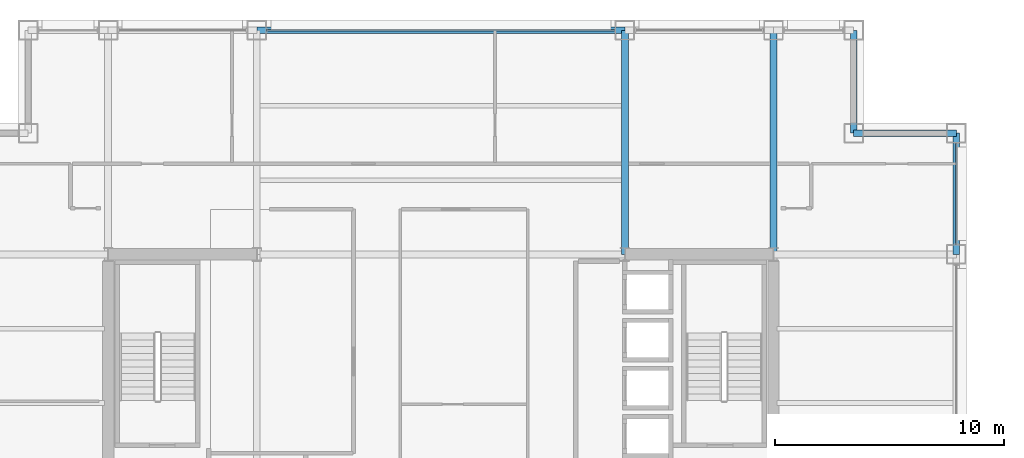
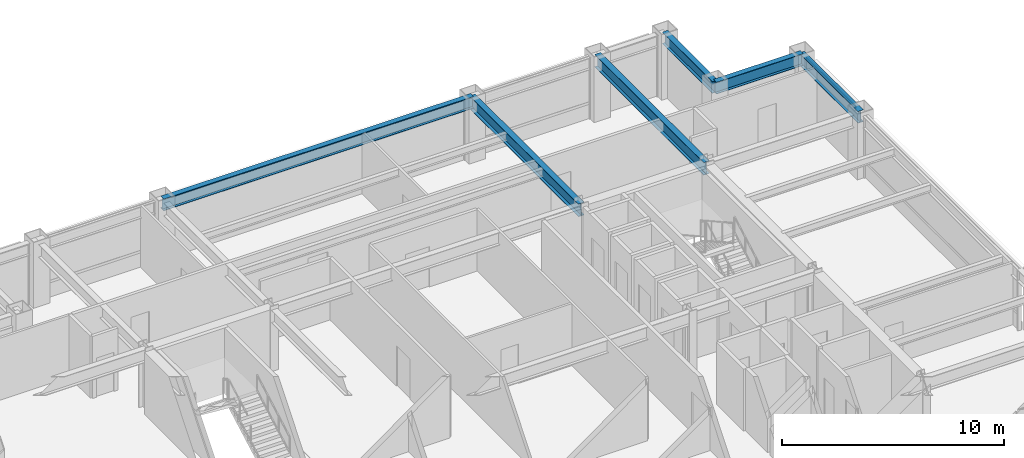
# One storey, part 22 of 31: 6 beams, 2 members, 2 elements without a shape of their own.
"""IFC4 building model written with IfcOpenShell, lengths in metres."""

from ifc_helpers import new_model, si_unit, direction, frame, origin, origin_2d, place, context, subcontext, project, spatial, hollow_rectangle, i_section, extrude, material, layer, layer_set, material_profile, profile_set, type_object, element, aggregate, save


model = new_model("IFC4")

# Units and contexts
model_context = context("Model", 3, precision=1e-05, world=origin(), true_north=direction((0.0, 1.0)))
body_context = subcontext(model_context, "Body", "Model", "MODEL_VIEW")
ifc_project = project(units=[si_unit("LENGTHUNIT", "METRE"), si_unit("AREAUNIT", "SQUARE_METRE"), si_unit("VOLUMEUNIT", "CUBIC_METRE"), si_unit("PLANEANGLEUNIT", "RADIAN"), si_unit("MASSUNIT", "GRAM", prefix="KILO")], contexts=[model_context])

# Site, building, storey
site_placement = place(None, origin())
site = spatial("IfcSite", under=ifc_project, at=site_placement, CompositionType="ELEMENT")
building_placement = place(site_placement, origin())
building = spatial("IfcBuilding", under=site, at=building_placement, Name="Brelmoor Portico Tower", CompositionType="ELEMENT")
storey_placement = place(building_placement, frame((0.0, 0.0, 113.39990234375)))
storey = spatial("IfcBuildingStorey", under=building, at=storey_placement, Name="L29", CompositionType="ELEMENT", Elevation=113.39990234375)

# Beams
ifc_material_1 = material(Name="Steel Q355B", Category="steel")
ifc_material_profile_1 = material_profile(ifc_material_1, i_section(OverallWidth=0.300048828125, OverallDepth=0.699951171875, WebThickness=0.012939453125, FlangeThickness=0.02392578125, at=origin_2d()), Name="HN 700x300x13x24")
ifc_profile_set_1 = profile_set([ifc_material_profile_1], Name="Steel Q355B")
beam_type_1 = type_object("IfcBeamType", Name="BM-PG-700", PredefinedType="BEAM", material=ifc_profile_set_1)
for number, where, z_axis, x_axis, name in (
    (1, (8.050048828125, 9.75, 3.050048828125), (0.0, 1.0, 0.0), (-1.0, 0.0, 0.0), "L29 Primary Floor Girder PG-09"),
    (2, (14.550048828125, 9.75, 3.050048828125), (0.0, 1.0, 0.0), (-1.0, 0.0, 0.0), "L29 Primary Floor Girder PG-13"),
):
    element("IfcBeam", number, at=place(storey_placement, frame(where, z_axis=z_axis, x_axis=x_axis)), inside=storey, type_object=beam_type_1, Name=name, PredefinedType="BEAM", context=body_context, shape_type="SweptSolid", body=[
        extrude(i_section(OverallWidth=0.300048828125, OverallDepth=0.699951171875, WebThickness=0.012939453125, FlangeThickness=0.02392578125, at=origin_2d()), origin(), (0.0, 0.0, 1.0), 9.800048828125),
    ])
ifc_material_profile_2 = material_profile(ifc_material_1, i_section(OverallWidth=0.280029296875, OverallDepth=0.64990234375, WebThickness=0.012939453125, FlangeThickness=0.02197265625, at=origin_2d()), Name="HN 650x280x13x22")
ifc_profile_set_2 = profile_set([ifc_material_profile_2], Name="Steel Q355B")
beam_type_2 = type_object("IfcBeamType", Name="BM-SP-650", PredefinedType="SPANDREL", material=ifc_profile_set_2)
beam_1_placement = place(storey_placement, frame((18.050048828125, 15.050048828125, 3.0751953125), z_axis=(1.0, 0.0, 0.0), x_axis=(0.0, 1.0, 0.0)))
element("IfcBeam", 3, at=beam_1_placement, inside=storey, type_object=beam_type_2, Name="L29 Perimeter Spandrel Beam SP-09", PredefinedType="SPANDREL", context=body_context, shape_type="SweptSolid", body=[
    extrude(i_section(OverallWidth=0.280029296875, OverallDepth=0.64990234375, WebThickness=0.012939453125, FlangeThickness=0.02197265625, at=origin_2d()), origin(), (0.0, 0.0, 1.0), 4.5),
])
beam_2_placement = place(storey_placement, frame((-8.050048828125, 19.550048828125, 3.0751953125), z_axis=(1.0, 0.0, 0.0), x_axis=(0.0, 1.0, 0.0)))
element("IfcBeam", 4, at=beam_2_placement, inside=storey, type_object=beam_type_2, Name="L29 Perimeter Spandrel Beam SP-12", PredefinedType="SPANDREL", context=body_context, shape_type="SweptSolid", body=[
    extrude(i_section(OverallWidth=0.280029296875, OverallDepth=0.64990234375, WebThickness=0.012939453125, FlangeThickness=0.02197265625, at=origin_2d()), origin(), (0.0, 0.0, 1.0), 16.10009765625),
])
beam_3_placement = place(storey_placement, frame((18.050048828125, 15.050048828125, 3.0751953125), z_axis=(0.0, 1.0, 0.0), x_axis=(-1.0, 0.0, 0.0)))
element("IfcBeam", 5, at=beam_3_placement, inside=storey, type_object=beam_type_2, Name="L29 Perimeter Spandrel Beam SP-21", PredefinedType="SPANDREL", context=body_context, shape_type="SweptSolid", body=[
    extrude(i_section(OverallWidth=0.280029296875, OverallDepth=0.64990234375, WebThickness=0.012939453125, FlangeThickness=0.02197265625, at=origin_2d()), origin(), (0.0, 0.0, 1.0), 4.5),
])
beam_4_placement = place(storey_placement, frame((22.550048828125, 9.75, 3.0751953125), z_axis=(0.0, 1.0, 0.0), x_axis=(-1.0, 0.0, 0.0)))
element("IfcBeam", 6, at=beam_4_placement, inside=storey, type_object=beam_type_2, Name="L29 Perimeter Spandrel Beam SP-24", PredefinedType="SPANDREL", context=body_context, shape_type="SweptSolid", body=[
    extrude(i_section(OverallWidth=0.280029296875, OverallDepth=0.64990234375, WebThickness=0.012939453125, FlangeThickness=0.02197265625, at=origin_2d()), origin(), (0.0, 0.0, 1.0), 5.300048828125),
])

# Curtain wall, member
ifc_material_2 = material(Name="Anodised Aluminium Alloy 6063-T6", Category="aluminium")
ifc_layer = layer(ifc_material_2, 0.179931640625)
ifc_layer_set = layer_set([ifc_layer], Name="Anodised Aluminium Alloy 6063-T6")
curtain_wall_type = type_object("IfcCurtainWallType", Name="CW-TOWER-Z2-XB", PredefinedType="NOTDEFINED", material=ifc_layer_set)
curtain_wall_1_placement = place(storey_placement, origin())
curtain_wall_1 = element("IfcCurtainWall", 7, at=curtain_wall_1_placement, inside=storey, type_object=curtain_wall_type, Name="L29 Curtain Wall CW-L29-02-3", PredefinedType="NOTDEFINED")
ifc_material_profile_3 = material_profile(ifc_material_2, hollow_rectangle(XDim=0.06494140625, YDim=0.139892578125, WallThickness=0.00390625, at=origin_2d()), Name="ALU TRANSOM 65x140")
ifc_profile_set_3 = profile_set([ifc_material_profile_3], Name="Anodised Aluminium Alloy 6063-T6")
member_type = type_object("IfcMemberType", Name="MB-CW-TRAN-140", PredefinedType="USERDEFINED", material=ifc_profile_set_3)
member_1_placement = place(storey_placement, frame((-7.614990234375, 19.550048828125, 3.330078125), z_axis=(1.0, 0.0, 0.0), x_axis=(0.0, 1.0, 0.0)))
member_1 = element("IfcMember", 8, at=member_1_placement, type_object=member_type, Name="CW-L29-02-3 Transom 1-00", ObjectType="TRANSOM", PredefinedType="USERDEFINED", context=body_context, shape_type="SweptSolid", body=[
    extrude(hollow_rectangle(XDim=0.06494140625, YDim=0.139892578125, WallThickness=0.00390625, at=origin_2d()), origin(), (0.0, 0.0, 1.0), 15.22998046875),
])
aggregate(curtain_wall_1, [member_1])

curtain_wall_2_placement = place(storey_placement, origin())
curtain_wall_2 = element("IfcCurtainWall", 9, at=curtain_wall_2_placement, inside=storey, type_object=curtain_wall_type, Name="L29 Curtain Wall CW-L29-4R-2", PredefinedType="NOTDEFINED")
member_2_placement = place(storey_placement, frame((22.550048828125, 10.18505859375, 3.330078125), z_axis=(0.0, 1.0, 0.0), x_axis=(-1.0, 0.0, 0.0)))
member_2 = element("IfcMember", 10, at=member_2_placement, type_object=member_type, Name="CW-L29-4R-2 Transom 1-00", ObjectType="TRANSOM", PredefinedType="USERDEFINED", context=body_context, shape_type="SweptSolid", body=[
    extrude(hollow_rectangle(XDim=0.06494140625, YDim=0.139892578125, WallThickness=0.00390625, at=origin_2d()), origin(), (0.0, 0.0, 1.0), 4.429931640625),
])
aggregate(curtain_wall_2, [member_2])

save(model, "model.ifc")
